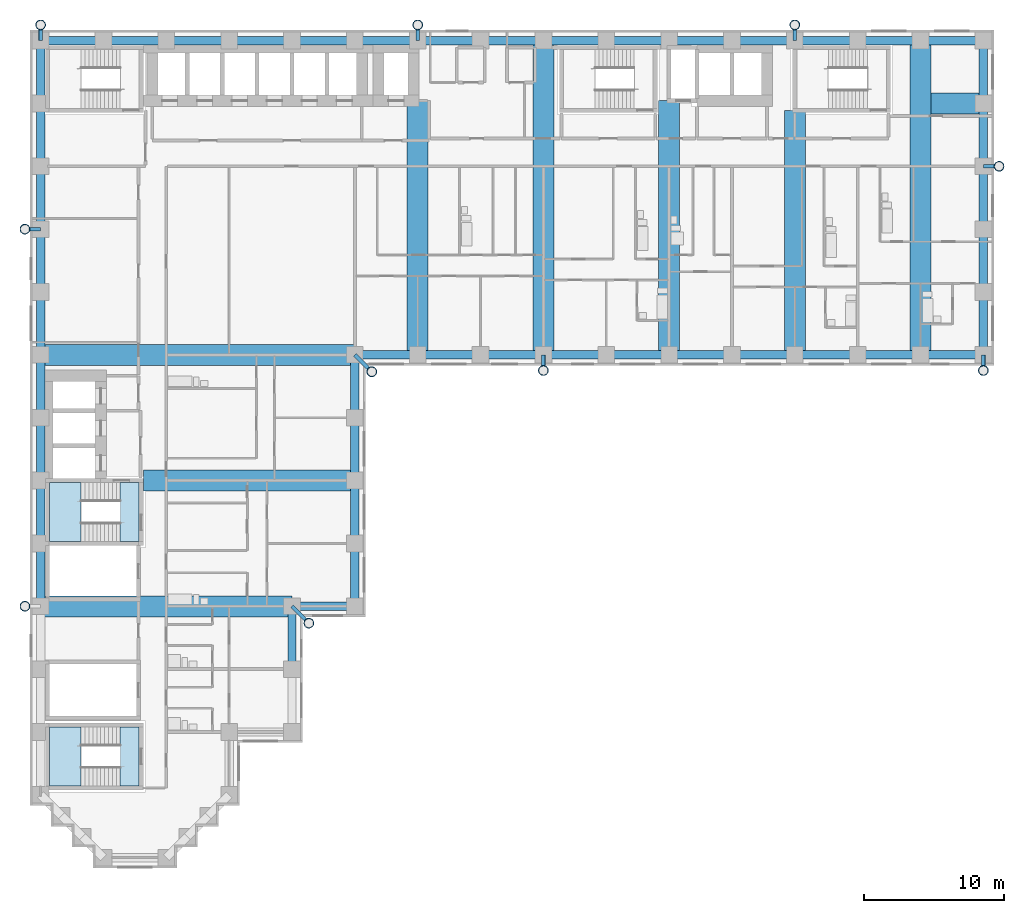
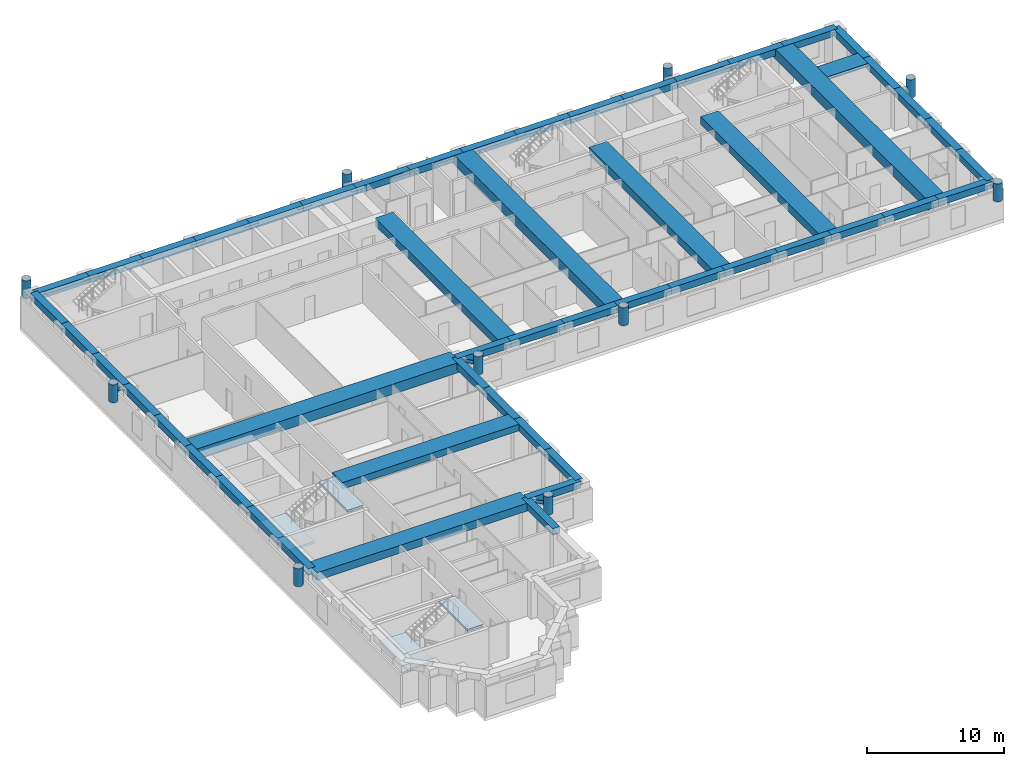
# One storey, part 2 of 14: 54 beams, 19 members, 4 slabs, 2 elements without a shape of their own.
"""IFC4 building model written with IfcOpenShell, lengths in metres."""

from ifc_helpers import new_model, si_unit, direction, frame, origin, origin_2d, place, context, subcontext, project, spatial, polyline, rectangle, hollow_circle, outline, extrude, material, layer, layer_set, material_profile, profile_set, type_object, element, aggregate, save


model = new_model("IFC4")

# Units and contexts
model_context = context("Model", 3, precision=1e-05, world=origin(), true_north=direction((0.0, 1.0)))
body_context = subcontext(model_context, "Body", "Model", "MODEL_VIEW")
ifc_project = project(units=[si_unit("LENGTHUNIT", "METRE"), si_unit("AREAUNIT", "SQUARE_METRE"), si_unit("VOLUMEUNIT", "CUBIC_METRE"), si_unit("PLANEANGLEUNIT", "RADIAN"), si_unit("MASSUNIT", "GRAM", prefix="KILO")], contexts=[model_context])

# Site, building, storey
site_placement = place(None, origin())
site = spatial("IfcSite", under=ifc_project, at=site_placement, CompositionType="ELEMENT")
building_placement = place(site_placement, origin())
building = spatial("IfcBuilding", under=site, at=building_placement, Name="Firuza Court", CompositionType="ELEMENT")
storey_placement = place(building_placement, frame((0.0, 0.0, 68.60009765625)))
storey = spatial("IfcBuildingStorey", under=building, at=storey_placement, Name="L16", CompositionType="ELEMENT", Elevation=68.60009765625)

# Beams
ifc_material_1 = material(Name="Concrete C40/50", Category="concrete")
ifc_material_profile_1 = material_profile(ifc_material_1, rectangle(XDim=1.5, YDim=0.300048828125, at=origin_2d()), Name="RC 1500x300")
ifc_profile_set_1 = profile_set([ifc_material_profile_1], Name="Concrete C40/50")
beam_type_1 = type_object("IfcBeamType", Name="Band beam RC 1500x300 C40/50", PredefinedType="BEAM", material=ifc_profile_set_1)
beam_1_placement = place(storey_placement, frame((67.5, 54.0, 3.14990234375), z_axis=(-1.0, 0.0, 0.0), x_axis=(0.0, -1.0, 0.0)))
element("IfcBeam", 1, at=beam_1_placement, inside=storey, type_object=beam_type_1, Name="Band beam FB6 level L17", PredefinedType="BEAM", context=body_context, shape_type="SweptSolid", body=[
    extrude(rectangle(XDim=1.5, YDim=0.300048828125, at=origin_2d()), origin(), (0.0, 0.0, 1.0), 3.75),
])
ifc_material_2 = material(Name="Concrete C40/50", Category="concrete")
ifc_material_profile_2 = material_profile(ifc_material_2, rectangle(XDim=1.5, YDim=0.60009765625, at=origin_2d()), Name="RC 1500x600")
ifc_profile_set_2 = profile_set([ifc_material_profile_2], Name="Concrete C40/50")
beam_type_2 = type_object("IfcBeamType", Name="Band beam RC 1500x600 C40/50", PredefinedType="BEAM", material=ifc_profile_set_2)
beam_2_placement = place(storey_placement, frame((22.5, 27.0, 3.0), z_axis=(-1.0, 0.0, 0.0), x_axis=(0.0, -1.0, 0.0)))
element("IfcBeam", 2, at=beam_2_placement, inside=storey, type_object=beam_type_2, Name="Band beam FB3 level L17", PredefinedType="BEAM", context=body_context, shape_type="SweptSolid", body=[
    extrude(rectangle(XDim=1.5, YDim=0.60009765625, at=origin_2d()), origin(), (0.0, 0.0, 1.0), 15.14990234375),
])
ifc_material_3 = material(Name="Concrete C40/50", Category="concrete")
ifc_material_profile_3 = material_profile(ifc_material_3, rectangle(XDim=1.5, YDim=0.699951171875, at=origin_2d()), Name="RC 1500x700")
ifc_profile_set_3 = profile_set([ifc_material_profile_3], Name="Concrete C40/50")
beam_type_3 = type_object("IfcBeamType", Name="Band beam RC 1500x700 C40/50", PredefinedType="BEAM", material=ifc_profile_set_3)
beam_3_placement = place(storey_placement, frame((0.0, 18.0, 2.949951171875), z_axis=(1.0, 0.0, 0.0), x_axis=(0.0, 1.0, 0.0)))
element("IfcBeam", 3, at=beam_3_placement, inside=storey, type_object=beam_type_3, Name="Band beam FB1 level L17", PredefinedType="BEAM", context=body_context, shape_type="SweptSolid", body=[
    extrude(rectangle(XDim=1.5, YDim=0.699951171875, at=origin_2d()), origin(), (0.0, 0.0, 1.0), 18.0),
])
for number, where, z_axis, x_axis, name in (
    (4, (27.0, 36.0, 2.949951171875), (0.0, 1.0, 0.0), (-1.0, 0.0, 0.0), "Band beam FB1 level L17"),
    (5, (45.0, 36.0, 2.949951171875), (0.0, 1.0, 0.0), (-1.0, 0.0, 0.0), "Band beam FB1 level L17"),
):
    element("IfcBeam", number, at=place(storey_placement, frame(where, z_axis=z_axis, x_axis=x_axis)), inside=storey, type_object=beam_type_3, Name=name, PredefinedType="BEAM", context=body_context, shape_type="SweptSolid", body=[
        extrude(rectangle(XDim=1.5, YDim=0.699951171875, at=origin_2d()), origin(), (0.0, 0.0, 1.0), 18.199951171875),
    ])
beam_4_placement = place(storey_placement, frame((54.0, 36.0, 2.949951171875), z_axis=(0.0, 1.0, 0.0), x_axis=(-1.0, 0.0, 0.0)))
element("IfcBeam", 6, at=beam_4_placement, inside=storey, type_object=beam_type_3, Name="Band beam FB1 level L17", PredefinedType="BEAM", context=body_context, shape_type="SweptSolid", body=[
    extrude(rectangle(XDim=1.5, YDim=0.699951171875, at=origin_2d()), origin(), (0.0, 0.0, 1.0), 17.5),
])
ifc_material_4 = material(Name="Concrete C40/50", Category="concrete")
ifc_material_profile_4 = material_profile(ifc_material_4, rectangle(XDim=1.5, YDim=0.89990234375, at=origin_2d()), Name="RC 1500x900")
ifc_profile_set_4 = profile_set([ifc_material_profile_4], Name="Concrete C40/50")
beam_type_4 = type_object("IfcBeamType", Name="Band beam RC 1500x900 C40/50", PredefinedType="BEAM", material=ifc_profile_set_4)
for number, where, z_axis, x_axis, name in (
    (7, (0.0, 36.0, 2.849853515625), (1.0, 0.0, 0.0), (0.0, 1.0, 0.0), "Band beam FB2 level L17"),
    (8, (36.0, 36.0, 2.849853515625), (0.0, 1.0, 0.0), (-1.0, 0.0, 0.0), "Band beam FB2 level L17"),
    (9, (63.0, 36.0, 2.849853515625), (0.0, 1.0, 0.0), (-1.0, 0.0, 0.0), "Band beam FB2 level L17"),
):
    element("IfcBeam", number, at=place(storey_placement, frame(where, z_axis=z_axis, x_axis=x_axis)), inside=storey, type_object=beam_type_4, Name=name, PredefinedType="BEAM", context=body_context, shape_type="SweptSolid", body=[
        extrude(rectangle(XDim=1.5, YDim=0.89990234375, at=origin_2d()), origin(), (0.0, 0.0, 1.0), 22.5),
    ])

# Members
ifc_material_5 = material(Name="Steel S355", Category="steel")
ifc_material_profile_5 = material_profile(ifc_material_5, hollow_circle(Radius=0.35546875, WallThickness=0.030029296875, at=origin_2d()), Name="CHS 711x30")
ifc_profile_set_5 = profile_set([ifc_material_profile_5], Name="Steel S355")
member_type_1 = type_object("IfcMemberType", Name="Diagrid node CHS 711x30 S355", PredefinedType="USERDEFINED", material=ifc_profile_set_5)
for number, where, z_axis, x_axis, name in (
    (10, (-1.1201171875, 18.0, 2.25), (0.0, 0.0, 1.0), (1.0, 0.0, 0.0), "Diagrid node level L16"),
    (11, (-1.1201171875, 45.0, 2.25), (0.0, 0.0, 1.0), (1.0, 0.0, 0.0), "Diagrid node level L16"),
    (12, (0.0, 59.6201171875, 2.25), (0.0, 0.0, 1.0), (1.0, 0.0, 0.0), "Diagrid node level L16"),
    (13, (19.2099609375, 16.7900390625, 2.25), (0.0, 0.0, 1.0), (1.0, 0.0, 0.0), "Diagrid node level L16"),
    (14, (23.7099609375, 34.7900390625, 2.25), (0.0, 0.0, 1.0), (1.0, 0.0, 0.0), "Diagrid node level L16"),
    (15, (27.0, 59.6201171875, 2.25), (0.0, 0.0, 1.0), (1.0, 0.0, 0.0), "Diagrid node level L16"),
    (16, (36.0, 34.8798828125, 2.25), (0.0, 0.0, 1.0), (1.0, 0.0, 0.0), "Diagrid node level L16"),
    (17, (54.0, 59.6201171875, 2.25), (0.0, 0.0, 1.0), (1.0, 0.0, 0.0), "Diagrid node level L16"),
    (18, (67.5, 34.8798828125, 2.25), (0.0, 0.0, 1.0), (1.0, 0.0, 0.0), "Diagrid node level L16"),
    (19, (68.6201171875, 49.5, 2.25), (0.0, 0.0, 1.0), (1.0, 0.0, 0.0), "Diagrid node level L16"),
):
    element("IfcMember", number, at=place(storey_placement, frame(where, z_axis=z_axis, x_axis=x_axis)), inside=storey, type_object=member_type_1, Name=name, ObjectType="DIAGRID NODE", PredefinedType="USERDEFINED", context=body_context, shape_type="SweptSolid", body=[
        extrude(hollow_circle(Radius=0.35546875, WallThickness=0.030029296875, at=origin_2d()), origin(), (0.0, 0.0, 1.0), 1.599853515625),
    ])
ifc_material_6 = material(Name="Steel S355", Category="steel")
ifc_material_profile_6 = material_profile(ifc_material_6, hollow_circle(Radius=0.136474609375, WallThickness=0.012451171875, at=origin_2d()), Name="CHS 273x12.5")
ifc_profile_set_6 = profile_set([ifc_material_profile_6], Name="Steel S355")
member_type_2 = type_object("IfcMemberType", Name="Diagrid tie CHS 273x12.5 S355", PredefinedType="STRUT", material=ifc_profile_set_6)
for number, where, z_axis, x_axis, name in (
    (20, (0.0, 45.0, 3.0498046875), (-1.0, 0.0, 0.0), (0.0, -1.0, 0.0), "Diagrid tie level L17"),
    (21, (0.0, 58.5, 3.0498046875), (0.0, 1.0, 0.0), (-1.0, 0.0, 0.0), "Diagrid tie level L17"),
):
    element("IfcMember", number, at=place(storey_placement, frame(where, z_axis=z_axis, x_axis=x_axis)), inside=storey, type_object=member_type_2, Name=name, PredefinedType="STRUT", context=body_context, shape_type="SweptSolid", body=[
        extrude(hollow_circle(Radius=0.136474609375, WallThickness=0.012451171875, at=origin_2d()), origin(), (0.0, 0.0, 1.0), 1.1201171875),
    ])
for number, where, z_axis, x_axis, name in (
    (22, (18.0, 18.0, 3.0498046875), (0.707106781187, -0.707106781187, 0.0), (0.707106781187, 0.707106781187, 0.0), "Diagrid tie level L17"),
    (23, (22.5, 36.0, 3.0498046875), (0.707106781187, -0.707106781187, 0.0), (0.707106781187, 0.707106781187, 0.0), "Diagrid tie level L17"),
):
    element("IfcMember", number, at=place(storey_placement, frame(where, z_axis=z_axis, x_axis=x_axis)), inside=storey, type_object=member_type_2, Name=name, PredefinedType="STRUT", context=body_context, shape_type="SweptSolid", body=[
        extrude(hollow_circle(Radius=0.136474609375, WallThickness=0.012451171875, at=origin_2d()), origin(), (0.0, 0.0, 1.0), 1.711181640625),
    ])
for number, where, z_axis, x_axis, name in (
    (24, (27.0, 58.5, 3.0498046875), (0.0, 1.0, 0.0), (-1.0, 0.0, 0.0), "Diagrid tie level L17"),
    (25, (36.0, 36.0, 3.0498046875), (0.0, -1.0, 0.0), (1.0, 0.0, 0.0), "Diagrid tie level L17"),
    (26, (54.0, 58.5, 3.0498046875), (0.0, 1.0, 0.0), (-1.0, 0.0, 0.0), "Diagrid tie level L17"),
    (27, (67.5, 36.0, 3.0498046875), (0.0, -1.0, 0.0), (1.0, 0.0, 0.0), "Diagrid tie level L17"),
    (28, (67.5, 49.5, 3.0498046875), (1.0, 0.0, 0.0), (0.0, 1.0, 0.0), "Diagrid tie level L17"),
):
    element("IfcMember", number, at=place(storey_placement, frame(where, z_axis=z_axis, x_axis=x_axis)), inside=storey, type_object=member_type_2, Name=name, PredefinedType="STRUT", context=body_context, shape_type="SweptSolid", body=[
        extrude(hollow_circle(Radius=0.136474609375, WallThickness=0.012451171875, at=origin_2d()), origin(), (0.0, 0.0, 1.0), 1.1201171875),
    ])

# Beams
ifc_material_7 = material(Name="Concrete C40/50", Category="concrete")
ifc_material_profile_7 = material_profile(ifc_material_7, rectangle(XDim=0.60009765625, YDim=0.60009765625, at=origin_2d()), Name="RC 600x600")
ifc_profile_set_7 = profile_set([ifc_material_profile_7], Name="Concrete C40/50")
beam_type_5 = type_object("IfcBeamType", Name="Spandrel beam RC 600x600 C40/50", PredefinedType="BEAM", material=ifc_profile_set_7)
for number, where, z_axis, x_axis, name in (
    (29, (0.0, 22.5, 3.0), (0.0, -1.0, 0.0), (1.0, 0.0, 0.0), "Spandrel beam SP11 level L17"),
    (30, (0.0, 27.0, 3.0), (0.0, -1.0, 0.0), (1.0, 0.0, 0.0), "Spandrel beam SP11 level L17"),
    (31, (0.0, 31.5, 3.0), (0.0, -1.0, 0.0), (1.0, 0.0, 0.0), "Spandrel beam SP11 level L17"),
    (32, (0.0, 36.0, 3.0), (0.0, -1.0, 0.0), (1.0, 0.0, 0.0), "Spandrel beam SP11 level L17"),
    (33, (0.0, 40.5, 3.0), (0.0, -1.0, 0.0), (1.0, 0.0, 0.0), "Spandrel beam SP11 level L17"),
    (34, (0.0, 45.0, 3.0), (0.0, -1.0, 0.0), (1.0, 0.0, 0.0), "Spandrel beam SP11 level L17"),
    (35, (0.0, 49.5, 3.0), (0.0, -1.0, 0.0), (1.0, 0.0, 0.0), "Spandrel beam SP11 level L17"),
    (36, (0.0, 54.0, 3.0), (0.0, -1.0, 0.0), (1.0, 0.0, 0.0), "Spandrel beam SP11 level L17"),
    (37, (0.0, 58.5, 3.0), (0.0, -1.0, 0.0), (1.0, 0.0, 0.0), "Spandrel beam SP11 level L17"),
    (38, (4.5, 58.5, 3.0), (-1.0, 0.0, 0.0), (0.0, -1.0, 0.0), "Spandrel beam SP11 level L17"),
    (39, (9.0, 58.5, 3.0), (-1.0, 0.0, 0.0), (0.0, -1.0, 0.0), "Spandrel beam SP11 level L17"),
    (40, (13.5, 58.5, 3.0), (-1.0, 0.0, 0.0), (0.0, -1.0, 0.0), "Spandrel beam SP11 level L17"),
    (41, (18.0, 13.5, 3.0), (0.0, 1.0, 0.0), (-1.0, 0.0, 0.0), "Spandrel beam SP11 level L17"),
    (42, (18.0, 18.0, 3.0), (1.0, 0.0, 0.0), (0.0, 1.0, 0.0), "Spandrel beam SP11 level L17"),
    (43, (18.0, 58.5, 3.0), (-1.0, 0.0, 0.0), (0.0, -1.0, 0.0), "Spandrel beam SP11 level L17"),
    (44, (22.5, 18.0, 3.0), (0.0, 1.0, 0.0), (-1.0, 0.0, 0.0), "Spandrel beam SP11 level L17"),
    (45, (22.5, 22.5, 3.0), (0.0, 1.0, 0.0), (-1.0, 0.0, 0.0), "Spandrel beam SP11 level L17"),
    (46, (22.5, 27.0, 3.0), (0.0, 1.0, 0.0), (-1.0, 0.0, 0.0), "Spandrel beam SP11 level L17"),
    (47, (22.5, 31.5, 3.0), (0.0, 1.0, 0.0), (-1.0, 0.0, 0.0), "Spandrel beam SP11 level L17"),
    (48, (22.5, 36.0, 3.0), (1.0, 0.0, 0.0), (0.0, 1.0, 0.0), "Spandrel beam SP11 level L17"),
    (49, (22.5, 58.5, 3.0), (-1.0, 0.0, 0.0), (0.0, -1.0, 0.0), "Spandrel beam SP11 level L17"),
    (50, (27.0, 36.0, 3.0), (1.0, 0.0, 0.0), (0.0, 1.0, 0.0), "Spandrel beam SP11 level L17"),
    (51, (27.0, 58.5, 3.0), (-1.0, 0.0, 0.0), (0.0, -1.0, 0.0), "Spandrel beam SP11 level L17"),
    (52, (31.5, 36.0, 3.0), (1.0, 0.0, 0.0), (0.0, 1.0, 0.0), "Spandrel beam SP11 level L17"),
    (53, (31.5, 58.5, 3.0), (-1.0, 0.0, 0.0), (0.0, -1.0, 0.0), "Spandrel beam SP11 level L17"),
    (54, (36.0, 36.0, 3.0), (1.0, 0.0, 0.0), (0.0, 1.0, 0.0), "Spandrel beam SP11 level L17"),
    (55, (36.0, 58.5, 3.0), (-1.0, 0.0, 0.0), (0.0, -1.0, 0.0), "Spandrel beam SP11 level L17"),
    (56, (40.5, 36.0, 3.0), (1.0, 0.0, 0.0), (0.0, 1.0, 0.0), "Spandrel beam SP11 level L17"),
    (57, (40.5, 58.5, 3.0), (-1.0, 0.0, 0.0), (0.0, -1.0, 0.0), "Spandrel beam SP11 level L17"),
    (58, (45.0, 36.0, 3.0), (1.0, 0.0, 0.0), (0.0, 1.0, 0.0), "Spandrel beam SP11 level L17"),
    (59, (45.0, 58.5, 3.0), (-1.0, 0.0, 0.0), (0.0, -1.0, 0.0), "Spandrel beam SP11 level L17"),
    (60, (49.5, 36.0, 3.0), (1.0, 0.0, 0.0), (0.0, 1.0, 0.0), "Spandrel beam SP11 level L17"),
    (61, (49.5, 58.5, 3.0), (-1.0, 0.0, 0.0), (0.0, -1.0, 0.0), "Spandrel beam SP11 level L17"),
    (62, (54.0, 36.0, 3.0), (1.0, 0.0, 0.0), (0.0, 1.0, 0.0), "Spandrel beam SP11 level L17"),
    (63, (54.0, 58.5, 3.0), (-1.0, 0.0, 0.0), (0.0, -1.0, 0.0), "Spandrel beam SP11 level L17"),
    (64, (58.5, 36.0, 3.0), (1.0, 0.0, 0.0), (0.0, 1.0, 0.0), "Spandrel beam SP11 level L17"),
    (65, (58.5, 58.5, 3.0), (-1.0, 0.0, 0.0), (0.0, -1.0, 0.0), "Spandrel beam SP11 level L17"),
    (66, (63.0, 36.0, 3.0), (1.0, 0.0, 0.0), (0.0, 1.0, 0.0), "Spandrel beam SP11 level L17"),
    (67, (63.0, 58.5, 3.0), (-1.0, 0.0, 0.0), (0.0, -1.0, 0.0), "Spandrel beam SP11 level L17"),
    (68, (67.5, 36.0, 3.0), (0.0, 1.0, 0.0), (-1.0, 0.0, 0.0), "Spandrel beam SP11 level L17"),
    (69, (67.5, 40.5, 3.0), (0.0, 1.0, 0.0), (-1.0, 0.0, 0.0), "Spandrel beam SP11 level L17"),
    (70, (67.5, 45.0, 3.0), (0.0, 1.0, 0.0), (-1.0, 0.0, 0.0), "Spandrel beam SP11 level L17"),
    (71, (67.5, 49.5, 3.0), (0.0, 1.0, 0.0), (-1.0, 0.0, 0.0), "Spandrel beam SP11 level L17"),
    (72, (67.5, 54.0, 3.0), (0.0, 1.0, 0.0), (-1.0, 0.0, 0.0), "Spandrel beam SP11 level L17"),
    (73, (67.5, 58.5, 3.0), (-1.0, 0.0, 0.0), (0.0, -1.0, 0.0), "Spandrel beam SP11 level L17"),
):
    element("IfcBeam", number, at=place(storey_placement, frame(where, z_axis=z_axis, x_axis=x_axis)), inside=storey, type_object=beam_type_5, Name=name, PredefinedType="BEAM", context=body_context, shape_type="SweptSolid", body=[
        extrude(rectangle(XDim=0.60009765625, YDim=0.60009765625, at=origin_2d()), origin(), (0.0, 0.0, 1.0), 4.5),
    ])

# Stair, slabs
ifc_material_8 = material(Name="Concrete C40/50 precast", Category="concrete")
stair_type = type_object("IfcStairType", Name="Stair 1350 x 3600 2 flights", PredefinedType="HALF_TURN_STAIR", material=ifc_material_8)
stair_1_placement = place(storey_placement, origin())
stair_1 = element("IfcStair", 74, at=stair_1_placement, inside=storey, type_object=stair_type, Name="Stair 2 L16", PredefinedType="HALF_TURN_STAIR")
ifc_material_9 = material(Name="Concrete C40/50 precast", Category="concrete")
ifc_layer = layer(ifc_material_9, 0.199951171875)
ifc_layer_set = layer_set([ifc_layer], Name="Concrete C40/50 precast")
slab_type = type_object("IfcSlabType", Name="Stair landing 200", PredefinedType="LANDING", material=ifc_layer_set)
slab_1_placement = place(storey_placement, frame((0.0, 0.0, 1.599853515625)))
slab_1 = element("IfcSlab", 75, at=slab_1_placement, type_object=slab_type, Name="S2 landing 1", PredefinedType="LANDING", context=body_context, shape_type="SweptSolid", body=[
    extrude(outline(polyline([(2.89990234375, 22.64990234375), (2.89990234375, 26.85009765625), (0.64990234375, 26.85009765625), (0.64990234375, 22.64990234375), (2.89990234375, 22.64990234375)])), origin(), (0.0, 0.0, 1.0), 0.199951171875),
])
slab_2_placement = place(storey_placement, frame((0.0, 0.0, 3.39990234375)))
slab_2 = element("IfcSlab", 76, at=slab_2_placement, type_object=slab_type, Name="S2 landing 2", PredefinedType="LANDING", context=body_context, shape_type="SweptSolid", body=[
    extrude(outline(polyline([(7.050048828125, 22.64990234375), (7.050048828125, 26.85009765625), (5.699951171875, 26.85009765625), (5.699951171875, 22.64990234375), (7.050048828125, 22.64990234375)])), origin(), (0.0, 0.0, 1.0), 0.199951171875),
])
aggregate(stair_1, [slab_1, slab_2])

stair_2_placement = place(storey_placement, origin())
stair_2 = element("IfcStair", 77, at=stair_2_placement, inside=storey, type_object=stair_type, Name="Stair 5 L16", PredefinedType="HALF_TURN_STAIR")
slab_3_placement = place(storey_placement, frame((0.0, 0.0, 1.599853515625)))
slab_3 = element("IfcSlab", 78, at=slab_3_placement, type_object=slab_type, Name="S5 landing 1", PredefinedType="LANDING", context=body_context, shape_type="SweptSolid", body=[
    extrude(outline(polyline([(2.89990234375, 5.14990234375), (2.89990234375, 9.35009765625), (0.64990234375, 9.35009765625), (0.64990234375, 5.14990234375), (2.89990234375, 5.14990234375)])), origin(), (0.0, 0.0, 1.0), 0.199951171875),
])
slab_4_placement = place(storey_placement, frame((0.0, 0.0, 3.39990234375)))
slab_4 = element("IfcSlab", 79, at=slab_4_placement, type_object=slab_type, Name="S5 landing 2", PredefinedType="LANDING", context=body_context, shape_type="SweptSolid", body=[
    extrude(outline(polyline([(7.050048828125, 5.14990234375), (7.050048828125, 9.35009765625), (5.699951171875, 9.35009765625), (5.699951171875, 5.14990234375), (7.050048828125, 5.14990234375)])), origin(), (0.0, 0.0, 1.0), 0.199951171875),
])
aggregate(stair_2, [slab_3, slab_4])

save(model, "model.ifc")
